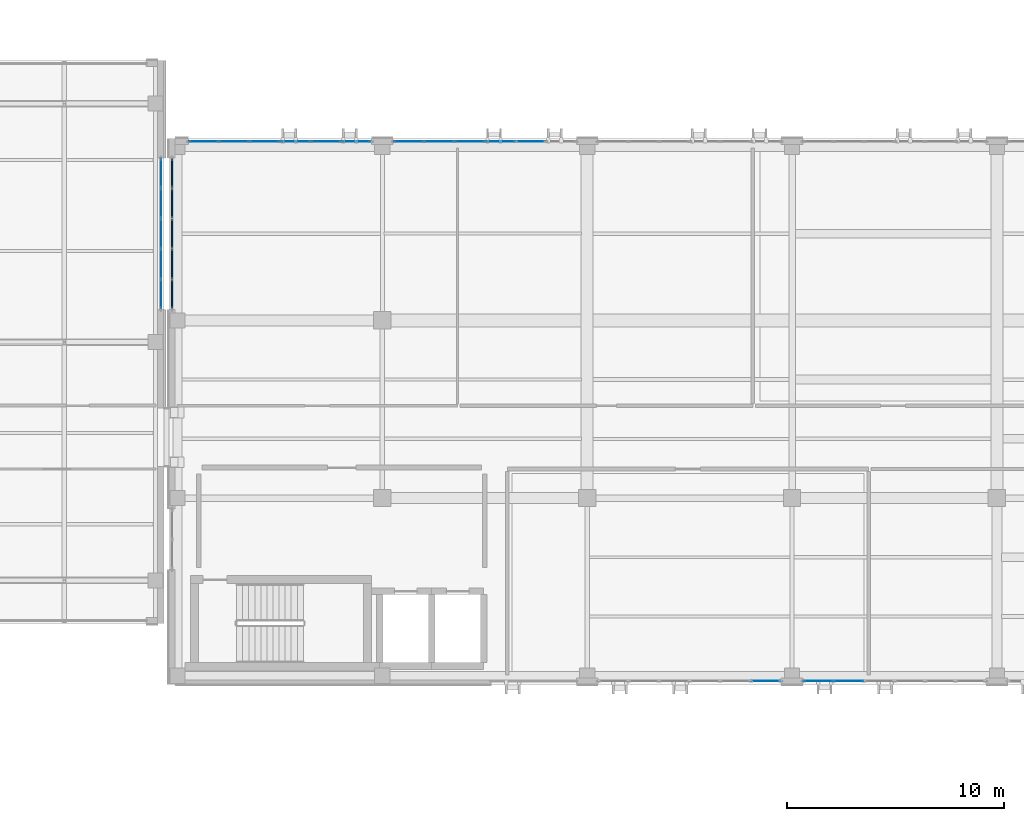
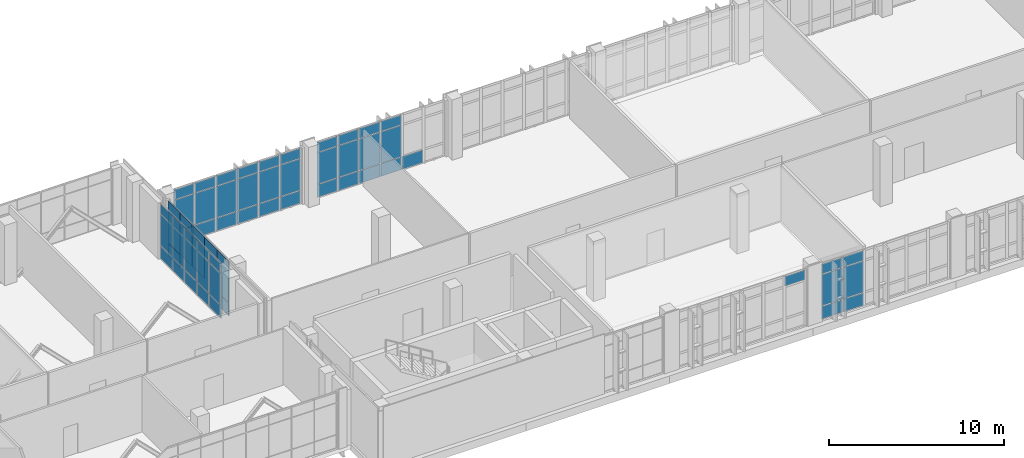
# One storey, part 114 of 165: 68 plates, 6 elements without a shape of their own.
"""IFC4 building model written with IfcOpenShell, lengths in metres."""

from ifc_helpers import new_model, si_unit, direction, frame, origin, origin_2d, place, context, subcontext, project, spatial, rectangle, extrude, material, layer, layer_set, type_object, element, aggregate, save


model = new_model("IFC4")

# Units and contexts
model_context = context("Model", 3, precision=1e-05, world=origin(), true_north=direction((0.0, 1.0)))
body_context = subcontext(model_context, "Body", "Model", "MODEL_VIEW")
ifc_project = project(units=[si_unit("LENGTHUNIT", "METRE"), si_unit("AREAUNIT", "SQUARE_METRE"), si_unit("VOLUMEUNIT", "CUBIC_METRE"), si_unit("PLANEANGLEUNIT", "RADIAN"), si_unit("MASSUNIT", "GRAM", prefix="KILO")], contexts=[model_context])

# Site, building, storey
site_placement = place(None, origin())
site = spatial("IfcSite", under=ifc_project, at=site_placement, CompositionType="ELEMENT")
building_placement = place(site_placement, origin())
building = spatial("IfcBuilding", under=site, at=building_placement, Name="Qalavern Law Courts", CompositionType="ELEMENT")
storey_placement = place(building_placement, frame((0.0, 0.0, 14.39990234375)))
storey = spatial("IfcBuildingStorey", under=building, at=storey_placement, Name="L03", CompositionType="ELEMENT", Elevation=14.39990234375)

# Curtain wall, plates
ifc_material_1 = material(Name="Anodised aluminium and insulated glazing", Category="aluminium")
ifc_layer_1 = layer(ifc_material_1, 0.199951171875)
ifc_layer_set_1 = layer_set([ifc_layer_1], Name="Anodised aluminium and insulated glazing")
curtain_wall_type_1 = type_object("IfcCurtainWallType", Name="ENV-CW-FOYER", PredefinedType="USERDEFINED", material=ifc_layer_set_1)
curtain_wall_1_placement = place(storey_placement, origin())
curtain_wall_1 = element("IfcCurtainWall", 1, at=curtain_wall_1_placement, inside=storey, type_object=curtain_wall_type_1, Name="V1 unitised curtain wall L03 east 1", ObjectType="UNITISED CURTAIN WALL", PredefinedType="USERDEFINED")
ifc_material_2 = material(Name="Insulated low-E acoustic glazing", Category="glass")
ifc_layer_2 = layer(ifc_material_2, 0.02392578125)
ifc_layer_set_2 = layer_set([ifc_layer_2], Name="Insulated low-E acoustic glazing")
plate_type_1 = type_object("IfcPlateType", Name="ENV-CWP-24", PredefinedType="CURTAIN_PANEL", material=ifc_layer_set_2)
plate_1_placement = place(storey_placement, frame((33.8525390625, 23.2119140625, 0.048095703125), z_axis=(0.0, 0.0, 1.0), x_axis=(0.0, 1.0, 0.0)))
plate_1 = element("IfcPlate", 2, at=plate_1_placement, type_object=plate_type_1, Name="CW-01 panel 1.1", PredefinedType="CURTAIN_PANEL", context=body_context, shape_type="SweptSolid", body=[
    extrude(rectangle(XDim=1.327880859375, YDim=0.02392578125, at=origin_2d()), origin(), (0.0, 0.0, 1.0), 0.8779296875),
])
plate_2_placement = place(storey_placement, frame((33.8525390625, 23.2119140625, 0.97412109375), z_axis=(0.0, 0.0, 1.0), x_axis=(0.0, 1.0, 0.0)))
plate_2 = element("IfcPlate", 3, at=plate_2_placement, type_object=plate_type_1, Name="CW-01 panel 1.2", PredefinedType="CURTAIN_PANEL", context=body_context, shape_type="SweptSolid", body=[
    extrude(rectangle(XDim=1.327880859375, YDim=0.02392578125, at=origin_2d()), origin(), (0.0, 0.0, 1.0), 2.172119140625),
])
plate_3_placement = place(storey_placement, frame((33.8525390625, 23.2119140625, 3.1943359375), z_axis=(0.0, 0.0, 1.0), x_axis=(0.0, 1.0, 0.0)))
plate_3 = element("IfcPlate", 4, at=plate_3_placement, type_object=plate_type_1, Name="CW-01 panel 1.3", PredefinedType="CURTAIN_PANEL", context=body_context, shape_type="SweptSolid", body=[
    extrude(rectangle(XDim=1.327880859375, YDim=0.02392578125, at=origin_2d()), origin(), (0.0, 0.0, 1.0), 0.677978515625),
])
plate_4_placement = place(storey_placement, frame((33.8525390625, 24.60009765625, 0.048095703125), z_axis=(0.0, 0.0, 1.0), x_axis=(0.0, 1.0, 0.0)))
plate_4 = element("IfcPlate", 5, at=plate_4_placement, type_object=plate_type_1, Name="CW-01 panel 2.1", PredefinedType="CURTAIN_PANEL", context=body_context, shape_type="SweptSolid", body=[
    extrude(rectangle(XDim=1.35205078125, YDim=0.02392578125, at=origin_2d()), origin(), (0.0, 0.0, 1.0), 0.8779296875),
])
plate_5_placement = place(storey_placement, frame((33.8525390625, 24.60009765625, 0.97412109375), z_axis=(0.0, 0.0, 1.0), x_axis=(0.0, 1.0, 0.0)))
plate_5 = element("IfcPlate", 6, at=plate_5_placement, type_object=plate_type_1, Name="CW-01 panel 2.2", PredefinedType="CURTAIN_PANEL", context=body_context, shape_type="SweptSolid", body=[
    extrude(rectangle(XDim=1.35205078125, YDim=0.02392578125, at=origin_2d()), origin(), (0.0, 0.0, 1.0), 2.172119140625),
])
plate_6_placement = place(storey_placement, frame((33.8525390625, 24.60009765625, 3.1943359375), z_axis=(0.0, 0.0, 1.0), x_axis=(0.0, 1.0, 0.0)))
plate_6 = element("IfcPlate", 7, at=plate_6_placement, type_object=plate_type_1, Name="CW-01 panel 2.3", PredefinedType="CURTAIN_PANEL", context=body_context, shape_type="SweptSolid", body=[
    extrude(rectangle(XDim=1.35205078125, YDim=0.02392578125, at=origin_2d()), origin(), (0.0, 0.0, 1.0), 0.677978515625),
])
plate_7_placement = place(storey_placement, frame((33.8525390625, 26.0, 0.048095703125), z_axis=(0.0, 0.0, 1.0), x_axis=(0.0, 1.0, 0.0)))
plate_7 = element("IfcPlate", 8, at=plate_7_placement, type_object=plate_type_1, Name="CW-01 panel 3.1", PredefinedType="CURTAIN_PANEL", context=body_context, shape_type="SweptSolid", body=[
    extrude(rectangle(XDim=1.35205078125, YDim=0.02392578125, at=origin_2d()), origin(), (0.0, 0.0, 1.0), 0.8779296875),
])
plate_8_placement = place(storey_placement, frame((33.8525390625, 26.0, 0.97412109375), z_axis=(0.0, 0.0, 1.0), x_axis=(0.0, 1.0, 0.0)))
plate_8 = element("IfcPlate", 9, at=plate_8_placement, type_object=plate_type_1, Name="CW-01 panel 3.2", PredefinedType="CURTAIN_PANEL", context=body_context, shape_type="SweptSolid", body=[
    extrude(rectangle(XDim=1.35205078125, YDim=0.02392578125, at=origin_2d()), origin(), (0.0, 0.0, 1.0), 2.172119140625),
])
plate_9_placement = place(storey_placement, frame((33.8525390625, 26.0, 3.1943359375), z_axis=(0.0, 0.0, 1.0), x_axis=(0.0, 1.0, 0.0)))
plate_9 = element("IfcPlate", 10, at=plate_9_placement, type_object=plate_type_1, Name="CW-01 panel 3.3", PredefinedType="CURTAIN_PANEL", context=body_context, shape_type="SweptSolid", body=[
    extrude(rectangle(XDim=1.35205078125, YDim=0.02392578125, at=origin_2d()), origin(), (0.0, 0.0, 1.0), 0.677978515625),
])
plate_10_placement = place(storey_placement, frame((33.8525390625, 27.39990234375, 0.048095703125), z_axis=(0.0, 0.0, 1.0), x_axis=(0.0, 1.0, 0.0)))
plate_10 = element("IfcPlate", 11, at=plate_10_placement, type_object=plate_type_1, Name="CW-01 panel 4.1", PredefinedType="CURTAIN_PANEL", context=body_context, shape_type="SweptSolid", body=[
    extrude(rectangle(XDim=1.35205078125, YDim=0.02392578125, at=origin_2d()), origin(), (0.0, 0.0, 1.0), 0.8779296875),
])
plate_11_placement = place(storey_placement, frame((33.8525390625, 27.39990234375, 0.97412109375), z_axis=(0.0, 0.0, 1.0), x_axis=(0.0, 1.0, 0.0)))
plate_11 = element("IfcPlate", 12, at=plate_11_placement, type_object=plate_type_1, Name="CW-01 panel 4.2", PredefinedType="CURTAIN_PANEL", context=body_context, shape_type="SweptSolid", body=[
    extrude(rectangle(XDim=1.35205078125, YDim=0.02392578125, at=origin_2d()), origin(), (0.0, 0.0, 1.0), 2.172119140625),
])
plate_12_placement = place(storey_placement, frame((33.8525390625, 27.39990234375, 3.1943359375), z_axis=(0.0, 0.0, 1.0), x_axis=(0.0, 1.0, 0.0)))
plate_12 = element("IfcPlate", 13, at=plate_12_placement, type_object=plate_type_1, Name="CW-01 panel 4.3", PredefinedType="CURTAIN_PANEL", context=body_context, shape_type="SweptSolid", body=[
    extrude(rectangle(XDim=1.35205078125, YDim=0.02392578125, at=origin_2d()), origin(), (0.0, 0.0, 1.0), 0.677978515625),
])
plate_13_placement = place(storey_placement, frame((33.8525390625, 28.7880859375, 0.048095703125), z_axis=(0.0, 0.0, 1.0), x_axis=(0.0, 1.0, 0.0)))
plate_13 = element("IfcPlate", 14, at=plate_13_placement, type_object=plate_type_1, Name="CW-01 panel 5.1", PredefinedType="CURTAIN_PANEL", context=body_context, shape_type="SweptSolid", body=[
    extrude(rectangle(XDim=1.327880859375, YDim=0.02392578125, at=origin_2d()), origin(), (0.0, 0.0, 1.0), 0.8779296875),
])
plate_14_placement = place(storey_placement, frame((33.8525390625, 28.7880859375, 0.97412109375), z_axis=(0.0, 0.0, 1.0), x_axis=(0.0, 1.0, 0.0)))
plate_14 = element("IfcPlate", 15, at=plate_14_placement, type_object=plate_type_1, Name="CW-01 panel 5.2", PredefinedType="CURTAIN_PANEL", context=body_context, shape_type="SweptSolid", body=[
    extrude(rectangle(XDim=1.327880859375, YDim=0.02392578125, at=origin_2d()), origin(), (0.0, 0.0, 1.0), 2.172119140625),
])
plate_15_placement = place(storey_placement, frame((33.8525390625, 28.7880859375, 3.1943359375), z_axis=(0.0, 0.0, 1.0), x_axis=(0.0, 1.0, 0.0)))
plate_15 = element("IfcPlate", 16, at=plate_15_placement, type_object=plate_type_1, Name="CW-01 panel 5.3", PredefinedType="CURTAIN_PANEL", context=body_context, shape_type="SweptSolid", body=[
    extrude(rectangle(XDim=1.327880859375, YDim=0.02392578125, at=origin_2d()), origin(), (0.0, 0.0, 1.0), 0.677978515625),
])
aggregate(curtain_wall_1, [plate_1, plate_2, plate_3, plate_4, plate_5, plate_6, plate_7, plate_8, plate_9, plate_10, plate_11, plate_12, plate_13, plate_14, plate_15])

# Curtain wall, plate
ifc_layer_3 = layer(ifc_material_1, 0.18505859375)
ifc_layer_set_3 = layer_set([ifc_layer_3], Name="Anodised aluminium and insulated glazing")
curtain_wall_type_2 = type_object("IfcCurtainWallType", Name="ENV-CW-HALL", PredefinedType="USERDEFINED", material=ifc_layer_set_3)
curtain_wall_2_placement = place(storey_placement, origin())
curtain_wall_2 = element("IfcCurtainWall", 17, at=curtain_wall_2_placement, inside=storey, type_object=curtain_wall_type_2, Name="V2 unitised curtain wall L03 south 2", ObjectType="UNITISED CURTAIN WALL", PredefinedType="USERDEFINED")
plate_16_placement = place(storey_placement, frame((61.766357421875, 5.347412109375, 3.1943359375), z_axis=(0.0, 0.0, 1.0), x_axis=(1.0, 0.0, 0.0)))
plate_16 = element("IfcPlate", 18, at=plate_16_placement, type_object=plate_type_1, Name="CW-02 panel 6.3", PredefinedType="CURTAIN_PANEL", context=body_context, shape_type="SweptSolid", body=[
    extrude(rectangle(XDim=1.337158203125, YDim=0.02392578125, at=origin_2d()), origin(), (0.0, 0.0, 1.0), 0.677978515625),
])
aggregate(curtain_wall_2, [plate_16])

# Curtain wall, plates
curtain_wall_3_placement = place(storey_placement, origin())
curtain_wall_3 = element("IfcCurtainWall", 19, at=curtain_wall_3_placement, inside=storey, type_object=curtain_wall_type_2, Name="V2 unitised curtain wall L03 south 3", ObjectType="UNITISED CURTAIN WALL", PredefinedType="USERDEFINED")
ifc_layer_4 = layer(ifc_material_2, 0.028076171875)
ifc_layer_set_4 = layer_set([ifc_layer_4], Name="Insulated low-E acoustic glazing")
plate_type_2 = type_object("IfcPlateType", Name="ENV-CWP-28", PredefinedType="CURTAIN_PANEL", material=ifc_layer_set_4)
plate_17_placement = place(storey_placement, frame((64.199462890625, 5.347412109375, 0.048095703125), z_axis=(0.0, 0.0, 1.0), x_axis=(1.0, 0.0, 0.0)))
plate_17 = element("IfcPlate", 20, at=plate_17_placement, type_object=plate_type_2, Name="CW-02 panel 1.1", PredefinedType="CURTAIN_PANEL", context=body_context, shape_type="SweptSolid", body=[
    extrude(rectangle(XDim=1.3369140625, YDim=0.028076171875, at=origin_2d()), origin(), (0.0, 0.0, 1.0), 0.8779296875),
])
plate_18_placement = place(storey_placement, frame((64.199462890625, 5.347412109375, 0.97412109375), z_axis=(0.0, 0.0, 1.0), x_axis=(1.0, 0.0, 0.0)))
plate_18 = element("IfcPlate", 21, at=plate_18_placement, type_object=plate_type_2, Name="CW-02 panel 1.2", PredefinedType="CURTAIN_PANEL", context=body_context, shape_type="SweptSolid", body=[
    extrude(rectangle(XDim=1.3369140625, YDim=0.028076171875, at=origin_2d()), origin(), (0.0, 0.0, 1.0), 2.172119140625),
])
plate_19_placement = place(storey_placement, frame((64.199462890625, 5.347412109375, 3.1943359375), z_axis=(0.0, 0.0, 1.0), x_axis=(1.0, 0.0, 0.0)))
plate_19 = element("IfcPlate", 22, at=plate_19_placement, type_object=plate_type_2, Name="CW-02 panel 1.3", PredefinedType="CURTAIN_PANEL", context=body_context, shape_type="SweptSolid", body=[
    extrude(rectangle(XDim=1.3369140625, YDim=0.028076171875, at=origin_2d()), origin(), (0.0, 0.0, 1.0), 0.677978515625),
])
plate_20_placement = place(storey_placement, frame((65.596435546875, 5.347412109375, 0.048095703125), z_axis=(0.0, 0.0, 1.0), x_axis=(1.0, 0.0, 0.0)))
plate_20 = element("IfcPlate", 23, at=plate_20_placement, type_object=plate_type_2, Name="CW-02 panel 2.1", PredefinedType="CURTAIN_PANEL", context=body_context, shape_type="SweptSolid", body=[
    extrude(rectangle(XDim=1.361083984375, YDim=0.028076171875, at=origin_2d()), origin(), (0.0, 0.0, 1.0), 0.8779296875),
])
plate_21_placement = place(storey_placement, frame((65.596435546875, 5.347412109375, 0.97412109375), z_axis=(0.0, 0.0, 1.0), x_axis=(1.0, 0.0, 0.0)))
plate_21 = element("IfcPlate", 24, at=plate_21_placement, type_object=plate_type_2, Name="CW-02 panel 2.2", PredefinedType="CURTAIN_PANEL", context=body_context, shape_type="SweptSolid", body=[
    extrude(rectangle(XDim=1.361083984375, YDim=0.028076171875, at=origin_2d()), origin(), (0.0, 0.0, 1.0), 2.172119140625),
])
plate_22_placement = place(storey_placement, frame((65.596435546875, 5.347412109375, 3.1943359375), z_axis=(0.0, 0.0, 1.0), x_axis=(1.0, 0.0, 0.0)))
plate_22 = element("IfcPlate", 25, at=plate_22_placement, type_object=plate_type_2, Name="CW-02 panel 2.3", PredefinedType="CURTAIN_PANEL", context=body_context, shape_type="SweptSolid", body=[
    extrude(rectangle(XDim=1.361083984375, YDim=0.028076171875, at=origin_2d()), origin(), (0.0, 0.0, 1.0), 0.677978515625),
])
aggregate(curtain_wall_3, [plate_17, plate_18, plate_19, plate_20, plate_21, plate_22])

curtain_wall_4_placement = place(storey_placement, origin())
curtain_wall_4 = element("IfcCurtainWall", 26, at=curtain_wall_4_placement, inside=storey, type_object=curtain_wall_type_2, Name="V2 unitised curtain wall L03 north 5", ObjectType="UNITISED CURTAIN WALL", PredefinedType="USERDEFINED")
ifc_layer_5 = layer(ifc_material_2, 0.0400390625)
ifc_layer_set_5 = layer_set([ifc_layer_5], Name="Insulated low-E acoustic glazing")
plate_type_3 = type_object("IfcPlateType", Name="ENV-CWP-40", PredefinedType="CURTAIN_PANEL", material=ifc_layer_set_5)
plate_23_placement = place(storey_placement, frame((50.9150390625, 30.25244140625, 0.048095703125), z_axis=(0.0, 0.0, 1.0), x_axis=(-1.0, 0.0, 0.0)))
plate_23 = element("IfcPlate", 27, at=plate_23_placement, type_object=plate_type_3, Name="CW-02 panel 2.1", PredefinedType="CURTAIN_PANEL", context=body_context, shape_type="SweptSolid", body=[
    extrude(rectangle(XDim=1.361083984375, YDim=0.0400390625, at=origin_2d()), origin(), (0.0, 0.0, 1.0), 0.8779296875),
])
plate_24_placement = place(storey_placement, frame((49.505859375, 30.25244140625, 0.048095703125), z_axis=(0.0, 0.0, 1.0), x_axis=(-1.0, 0.0, 0.0)))
plate_24 = element("IfcPlate", 28, at=plate_24_placement, type_object=plate_type_3, Name="CW-02 panel 3.1", PredefinedType="CURTAIN_PANEL", context=body_context, shape_type="SweptSolid", body=[
    extrude(rectangle(XDim=1.361083984375, YDim=0.0400390625, at=origin_2d()), origin(), (0.0, 0.0, 1.0), 0.8779296875),
])
plate_25_placement = place(storey_placement, frame((49.505859375, 30.25244140625, 0.97412109375), z_axis=(0.0, 0.0, 1.0), x_axis=(-1.0, 0.0, 0.0)))
plate_25 = element("IfcPlate", 29, at=plate_25_placement, type_object=plate_type_3, Name="CW-02 panel 3.2", PredefinedType="CURTAIN_PANEL", context=body_context, shape_type="SweptSolid", body=[
    extrude(rectangle(XDim=1.361083984375, YDim=0.0400390625, at=origin_2d()), origin(), (0.0, 0.0, 1.0), 2.172119140625),
])
plate_26_placement = place(storey_placement, frame((49.505859375, 30.25244140625, 3.1943359375), z_axis=(0.0, 0.0, 1.0), x_axis=(-1.0, 0.0, 0.0)))
plate_26 = element("IfcPlate", 30, at=plate_26_placement, type_object=plate_type_3, Name="CW-02 panel 3.3", PredefinedType="CURTAIN_PANEL", context=body_context, shape_type="SweptSolid", body=[
    extrude(rectangle(XDim=1.361083984375, YDim=0.0400390625, at=origin_2d()), origin(), (0.0, 0.0, 1.0), 0.677978515625),
])
plate_27_placement = place(storey_placement, frame((48.096923828125, 30.25244140625, 0.048095703125), z_axis=(0.0, 0.0, 1.0), x_axis=(-1.0, 0.0, 0.0)))
plate_27 = element("IfcPlate", 31, at=plate_27_placement, type_object=plate_type_3, Name="CW-02 panel 4.1", PredefinedType="CURTAIN_PANEL", context=body_context, shape_type="SweptSolid", body=[
    extrude(rectangle(XDim=1.361083984375, YDim=0.0400390625, at=origin_2d()), origin(), (0.0, 0.0, 1.0), 0.8779296875),
])
plate_28_placement = place(storey_placement, frame((48.096923828125, 30.25244140625, 0.97412109375), z_axis=(0.0, 0.0, 1.0), x_axis=(-1.0, 0.0, 0.0)))
plate_28 = element("IfcPlate", 32, at=plate_28_placement, type_object=plate_type_3, Name="CW-02 panel 4.2", PredefinedType="CURTAIN_PANEL", context=body_context, shape_type="SweptSolid", body=[
    extrude(rectangle(XDim=1.361083984375, YDim=0.0400390625, at=origin_2d()), origin(), (0.0, 0.0, 1.0), 2.172119140625),
])
plate_29_placement = place(storey_placement, frame((48.096923828125, 30.25244140625, 3.1943359375), z_axis=(0.0, 0.0, 1.0), x_axis=(-1.0, 0.0, 0.0)))
plate_29 = element("IfcPlate", 33, at=plate_29_placement, type_object=plate_type_3, Name="CW-02 panel 4.3", PredefinedType="CURTAIN_PANEL", context=body_context, shape_type="SweptSolid", body=[
    extrude(rectangle(XDim=1.361083984375, YDim=0.0400390625, at=origin_2d()), origin(), (0.0, 0.0, 1.0), 0.677978515625),
])
plate_30_placement = place(storey_placement, frame((46.68798828125, 30.25244140625, 0.048095703125), z_axis=(0.0, 0.0, 1.0), x_axis=(-1.0, 0.0, 0.0)))
plate_30 = element("IfcPlate", 34, at=plate_30_placement, type_object=plate_type_3, Name="CW-02 panel 5.1", PredefinedType="CURTAIN_PANEL", context=body_context, shape_type="SweptSolid", body=[
    extrude(rectangle(XDim=1.361083984375, YDim=0.0400390625, at=origin_2d()), origin(), (0.0, 0.0, 1.0), 0.8779296875),
])
plate_31_placement = place(storey_placement, frame((46.68798828125, 30.25244140625, 0.97412109375), z_axis=(0.0, 0.0, 1.0), x_axis=(-1.0, 0.0, 0.0)))
plate_31 = element("IfcPlate", 35, at=plate_31_placement, type_object=plate_type_3, Name="CW-02 panel 5.2", PredefinedType="CURTAIN_PANEL", context=body_context, shape_type="SweptSolid", body=[
    extrude(rectangle(XDim=1.361083984375, YDim=0.0400390625, at=origin_2d()), origin(), (0.0, 0.0, 1.0), 2.172119140625),
])
plate_32_placement = place(storey_placement, frame((46.68798828125, 30.25244140625, 3.1943359375), z_axis=(0.0, 0.0, 1.0), x_axis=(-1.0, 0.0, 0.0)))
plate_32 = element("IfcPlate", 36, at=plate_32_placement, type_object=plate_type_3, Name="CW-02 panel 5.3", PredefinedType="CURTAIN_PANEL", context=body_context, shape_type="SweptSolid", body=[
    extrude(rectangle(XDim=1.361083984375, YDim=0.0400390625, at=origin_2d()), origin(), (0.0, 0.0, 1.0), 0.677978515625),
])
plate_33_placement = place(storey_placement, frame((45.290771484375, 30.25244140625, 0.048095703125), z_axis=(0.0, 0.0, 1.0), x_axis=(-1.0, 0.0, 0.0)))
plate_33 = element("IfcPlate", 37, at=plate_33_placement, type_object=plate_type_3, Name="CW-02 panel 6.1", PredefinedType="CURTAIN_PANEL", context=body_context, shape_type="SweptSolid", body=[
    extrude(rectangle(XDim=1.337158203125, YDim=0.0400390625, at=origin_2d()), origin(), (0.0, 0.0, 1.0), 0.8779296875),
])
plate_34_placement = place(storey_placement, frame((45.290771484375, 30.25244140625, 0.97412109375), z_axis=(0.0, 0.0, 1.0), x_axis=(-1.0, 0.0, 0.0)))
plate_34 = element("IfcPlate", 38, at=plate_34_placement, type_object=plate_type_3, Name="CW-02 panel 6.2", PredefinedType="CURTAIN_PANEL", context=body_context, shape_type="SweptSolid", body=[
    extrude(rectangle(XDim=1.337158203125, YDim=0.0400390625, at=origin_2d()), origin(), (0.0, 0.0, 1.0), 2.172119140625),
])
plate_35_placement = place(storey_placement, frame((45.290771484375, 30.25244140625, 3.1943359375), z_axis=(0.0, 0.0, 1.0), x_axis=(-1.0, 0.0, 0.0)))
plate_35 = element("IfcPlate", 39, at=plate_35_placement, type_object=plate_type_3, Name="CW-02 panel 6.3", PredefinedType="CURTAIN_PANEL", context=body_context, shape_type="SweptSolid", body=[
    extrude(rectangle(XDim=1.337158203125, YDim=0.0400390625, at=origin_2d()), origin(), (0.0, 0.0, 1.0), 0.677978515625),
])
aggregate(curtain_wall_4, [plate_23, plate_24, plate_25, plate_26, plate_27, plate_28, plate_29, plate_30, plate_31, plate_32, plate_33, plate_34, plate_35])

curtain_wall_5_placement = place(storey_placement, origin())
curtain_wall_5 = element("IfcCurtainWall", 40, at=curtain_wall_5_placement, inside=storey, type_object=curtain_wall_type_2, Name="V2 unitised curtain wall L03 north 6", ObjectType="UNITISED CURTAIN WALL", PredefinedType="USERDEFINED")
ifc_layer_6 = layer(ifc_material_2, 0.0439453125)
ifc_layer_set_6 = layer_set([ifc_layer_6], Name="Insulated low-E acoustic glazing")
plate_type_4 = type_object("IfcPlateType", Name="ENV-CWP-44", PredefinedType="CURTAIN_PANEL", material=ifc_layer_set_6)
plate_36_placement = place(storey_placement, frame((42.857666015625, 30.25244140625, 0.048095703125), z_axis=(0.0, 0.0, 1.0), x_axis=(-1.0, 0.0, 0.0)))
plate_36 = element("IfcPlate", 41, at=plate_36_placement, type_object=plate_type_4, Name="CW-02 panel 1.1", PredefinedType="CURTAIN_PANEL", context=body_context, shape_type="SweptSolid", body=[
    extrude(rectangle(XDim=1.337158203125, YDim=0.0439453125, at=origin_2d()), origin(), (0.0, 0.0, 1.0), 0.8779296875),
])
plate_37_placement = place(storey_placement, frame((42.857666015625, 30.25244140625, 0.97412109375), z_axis=(0.0, 0.0, 1.0), x_axis=(-1.0, 0.0, 0.0)))
plate_37 = element("IfcPlate", 42, at=plate_37_placement, type_object=plate_type_4, Name="CW-02 panel 1.2", PredefinedType="CURTAIN_PANEL", context=body_context, shape_type="SweptSolid", body=[
    extrude(rectangle(XDim=1.337158203125, YDim=0.0439453125, at=origin_2d()), origin(), (0.0, 0.0, 1.0), 2.172119140625),
])
plate_38_placement = place(storey_placement, frame((42.857666015625, 30.25244140625, 3.1943359375), z_axis=(0.0, 0.0, 1.0), x_axis=(-1.0, 0.0, 0.0)))
plate_38 = element("IfcPlate", 43, at=plate_38_placement, type_object=plate_type_4, Name="CW-02 panel 1.3", PredefinedType="CURTAIN_PANEL", context=body_context, shape_type="SweptSolid", body=[
    extrude(rectangle(XDim=1.337158203125, YDim=0.0439453125, at=origin_2d()), origin(), (0.0, 0.0, 1.0), 0.677978515625),
])
plate_39_placement = place(storey_placement, frame((41.460693359375, 30.25244140625, 0.048095703125), z_axis=(0.0, 0.0, 1.0), x_axis=(-1.0, 0.0, 0.0)))
plate_39 = element("IfcPlate", 44, at=plate_39_placement, type_object=plate_type_4, Name="CW-02 panel 2.1", PredefinedType="CURTAIN_PANEL", context=body_context, shape_type="SweptSolid", body=[
    extrude(rectangle(XDim=1.361083984375, YDim=0.0439453125, at=origin_2d()), origin(), (0.0, 0.0, 1.0), 0.8779296875),
])
plate_40_placement = place(storey_placement, frame((41.460693359375, 30.25244140625, 0.97412109375), z_axis=(0.0, 0.0, 1.0), x_axis=(-1.0, 0.0, 0.0)))
plate_40 = element("IfcPlate", 45, at=plate_40_placement, type_object=plate_type_4, Name="CW-02 panel 2.2", PredefinedType="CURTAIN_PANEL", context=body_context, shape_type="SweptSolid", body=[
    extrude(rectangle(XDim=1.361083984375, YDim=0.0439453125, at=origin_2d()), origin(), (0.0, 0.0, 1.0), 2.172119140625),
])
plate_41_placement = place(storey_placement, frame((41.460693359375, 30.25244140625, 3.1943359375), z_axis=(0.0, 0.0, 1.0), x_axis=(-1.0, 0.0, 0.0)))
plate_41 = element("IfcPlate", 46, at=plate_41_placement, type_object=plate_type_4, Name="CW-02 panel 2.3", PredefinedType="CURTAIN_PANEL", context=body_context, shape_type="SweptSolid", body=[
    extrude(rectangle(XDim=1.361083984375, YDim=0.0439453125, at=origin_2d()), origin(), (0.0, 0.0, 1.0), 0.677978515625),
])
plate_42_placement = place(storey_placement, frame((40.0517578125, 30.25244140625, 0.048095703125), z_axis=(0.0, 0.0, 1.0), x_axis=(-1.0, 0.0, 0.0)))
plate_42 = element("IfcPlate", 47, at=plate_42_placement, type_object=plate_type_4, Name="CW-02 panel 3.1", PredefinedType="CURTAIN_PANEL", context=body_context, shape_type="SweptSolid", body=[
    extrude(rectangle(XDim=1.361083984375, YDim=0.0439453125, at=origin_2d()), origin(), (0.0, 0.0, 1.0), 0.8779296875),
])
plate_43_placement = place(storey_placement, frame((40.0517578125, 30.25244140625, 0.97412109375), z_axis=(0.0, 0.0, 1.0), x_axis=(-1.0, 0.0, 0.0)))
plate_43 = element("IfcPlate", 48, at=plate_43_placement, type_object=plate_type_4, Name="CW-02 panel 3.2", PredefinedType="CURTAIN_PANEL", context=body_context, shape_type="SweptSolid", body=[
    extrude(rectangle(XDim=1.361083984375, YDim=0.0439453125, at=origin_2d()), origin(), (0.0, 0.0, 1.0), 2.172119140625),
])
plate_44_placement = place(storey_placement, frame((40.0517578125, 30.25244140625, 3.1943359375), z_axis=(0.0, 0.0, 1.0), x_axis=(-1.0, 0.0, 0.0)))
plate_44 = element("IfcPlate", 49, at=plate_44_placement, type_object=plate_type_4, Name="CW-02 panel 3.3", PredefinedType="CURTAIN_PANEL", context=body_context, shape_type="SweptSolid", body=[
    extrude(rectangle(XDim=1.361083984375, YDim=0.0439453125, at=origin_2d()), origin(), (0.0, 0.0, 1.0), 0.677978515625),
])
plate_45_placement = place(storey_placement, frame((38.642578125, 30.25244140625, 0.048095703125), z_axis=(0.0, 0.0, 1.0), x_axis=(-1.0, 0.0, 0.0)))
plate_45 = element("IfcPlate", 50, at=plate_45_placement, type_object=plate_type_4, Name="CW-02 panel 4.1", PredefinedType="CURTAIN_PANEL", context=body_context, shape_type="SweptSolid", body=[
    extrude(rectangle(XDim=1.361083984375, YDim=0.0439453125, at=origin_2d()), origin(), (0.0, 0.0, 1.0), 0.8779296875),
])
plate_46_placement = place(storey_placement, frame((38.642578125, 30.25244140625, 0.97412109375), z_axis=(0.0, 0.0, 1.0), x_axis=(-1.0, 0.0, 0.0)))
plate_46 = element("IfcPlate", 51, at=plate_46_placement, type_object=plate_type_4, Name="CW-02 panel 4.2", PredefinedType="CURTAIN_PANEL", context=body_context, shape_type="SweptSolid", body=[
    extrude(rectangle(XDim=1.361083984375, YDim=0.0439453125, at=origin_2d()), origin(), (0.0, 0.0, 1.0), 2.172119140625),
])
plate_47_placement = place(storey_placement, frame((38.642578125, 30.25244140625, 3.1943359375), z_axis=(0.0, 0.0, 1.0), x_axis=(-1.0, 0.0, 0.0)))
plate_47 = element("IfcPlate", 52, at=plate_47_placement, type_object=plate_type_4, Name="CW-02 panel 4.3", PredefinedType="CURTAIN_PANEL", context=body_context, shape_type="SweptSolid", body=[
    extrude(rectangle(XDim=1.361083984375, YDim=0.0439453125, at=origin_2d()), origin(), (0.0, 0.0, 1.0), 0.677978515625),
])
plate_48_placement = place(storey_placement, frame((37.233642578125, 30.25244140625, 0.048095703125), z_axis=(0.0, 0.0, 1.0), x_axis=(-1.0, 0.0, 0.0)))
plate_48 = element("IfcPlate", 53, at=plate_48_placement, type_object=plate_type_4, Name="CW-02 panel 5.1", PredefinedType="CURTAIN_PANEL", context=body_context, shape_type="SweptSolid", body=[
    extrude(rectangle(XDim=1.361083984375, YDim=0.0439453125, at=origin_2d()), origin(), (0.0, 0.0, 1.0), 0.8779296875),
])
plate_49_placement = place(storey_placement, frame((37.233642578125, 30.25244140625, 0.97412109375), z_axis=(0.0, 0.0, 1.0), x_axis=(-1.0, 0.0, 0.0)))
plate_49 = element("IfcPlate", 54, at=plate_49_placement, type_object=plate_type_4, Name="CW-02 panel 5.2", PredefinedType="CURTAIN_PANEL", context=body_context, shape_type="SweptSolid", body=[
    extrude(rectangle(XDim=1.361083984375, YDim=0.0439453125, at=origin_2d()), origin(), (0.0, 0.0, 1.0), 2.172119140625),
])
plate_50_placement = place(storey_placement, frame((37.233642578125, 30.25244140625, 3.1943359375), z_axis=(0.0, 0.0, 1.0), x_axis=(-1.0, 0.0, 0.0)))
plate_50 = element("IfcPlate", 55, at=plate_50_placement, type_object=plate_type_4, Name="CW-02 panel 5.3", PredefinedType="CURTAIN_PANEL", context=body_context, shape_type="SweptSolid", body=[
    extrude(rectangle(XDim=1.361083984375, YDim=0.0439453125, at=origin_2d()), origin(), (0.0, 0.0, 1.0), 0.677978515625),
])
plate_51_placement = place(storey_placement, frame((35.83642578125, 30.25244140625, 0.048095703125), z_axis=(0.0, 0.0, 1.0), x_axis=(-1.0, 0.0, 0.0)))
plate_51 = element("IfcPlate", 56, at=plate_51_placement, type_object=plate_type_4, Name="CW-02 panel 6.1", PredefinedType="CURTAIN_PANEL", context=body_context, shape_type="SweptSolid", body=[
    extrude(rectangle(XDim=1.337158203125, YDim=0.0439453125, at=origin_2d()), origin(), (0.0, 0.0, 1.0), 0.8779296875),
])
plate_52_placement = place(storey_placement, frame((35.83642578125, 30.25244140625, 0.97412109375), z_axis=(0.0, 0.0, 1.0), x_axis=(-1.0, 0.0, 0.0)))
plate_52 = element("IfcPlate", 57, at=plate_52_placement, type_object=plate_type_4, Name="CW-02 panel 6.2", PredefinedType="CURTAIN_PANEL", context=body_context, shape_type="SweptSolid", body=[
    extrude(rectangle(XDim=1.337158203125, YDim=0.0439453125, at=origin_2d()), origin(), (0.0, 0.0, 1.0), 2.172119140625),
])
plate_53_placement = place(storey_placement, frame((35.83642578125, 30.25244140625, 3.1943359375), z_axis=(0.0, 0.0, 1.0), x_axis=(-1.0, 0.0, 0.0)))
plate_53 = element("IfcPlate", 58, at=plate_53_placement, type_object=plate_type_4, Name="CW-02 panel 6.3", PredefinedType="CURTAIN_PANEL", context=body_context, shape_type="SweptSolid", body=[
    extrude(rectangle(XDim=1.337158203125, YDim=0.0439453125, at=origin_2d()), origin(), (0.0, 0.0, 1.0), 0.677978515625),
])
aggregate(curtain_wall_5, [plate_36, plate_37, plate_38, plate_39, plate_40, plate_41, plate_42, plate_43, plate_44, plate_45, plate_46, plate_47, plate_48, plate_49, plate_50, plate_51, plate_52, plate_53])

curtain_wall_6_placement = place(storey_placement, origin())
curtain_wall_6 = element("IfcCurtainWall", 59, at=curtain_wall_6_placement, inside=storey, type_object=curtain_wall_type_2, Name="V2 unitised curtain wall L03 west 1", ObjectType="UNITISED CURTAIN WALL", PredefinedType="USERDEFINED")
ifc_layer_7 = layer(ifc_material_2, 0.052001953125)
ifc_layer_set_7 = layer_set([ifc_layer_7], Name="Insulated low-E acoustic glazing")
plate_type_5 = type_object("IfcPlateType", Name="ENV-CWP-52", PredefinedType="CURTAIN_PANEL", material=ifc_layer_set_7)
plate_54_placement = place(storey_placement, frame((34.367431640625, 28.7880859375, 0.048095703125), z_axis=(0.0, 0.0, 1.0), x_axis=(0.0, -1.0, 0.0)))
plate_54 = element("IfcPlate", 60, at=plate_54_placement, type_object=plate_type_5, Name="CW-02 panel 1.1", PredefinedType="CURTAIN_PANEL", context=body_context, shape_type="SweptSolid", body=[
    extrude(rectangle(XDim=1.327880859375, YDim=0.052001953125, at=origin_2d()), origin(), (0.0, 0.0, 1.0), 0.8779296875),
])
plate_55_placement = place(storey_placement, frame((34.367431640625, 28.7880859375, 0.97412109375), z_axis=(0.0, 0.0, 1.0), x_axis=(0.0, -1.0, 0.0)))
plate_55 = element("IfcPlate", 61, at=plate_55_placement, type_object=plate_type_5, Name="CW-02 panel 1.2", PredefinedType="CURTAIN_PANEL", context=body_context, shape_type="SweptSolid", body=[
    extrude(rectangle(XDim=1.327880859375, YDim=0.052001953125, at=origin_2d()), origin(), (0.0, 0.0, 1.0), 2.172119140625),
])
plate_56_placement = place(storey_placement, frame((34.367431640625, 28.7880859375, 3.1943359375), z_axis=(0.0, 0.0, 1.0), x_axis=(0.0, -1.0, 0.0)))
plate_56 = element("IfcPlate", 62, at=plate_56_placement, type_object=plate_type_5, Name="CW-02 panel 1.3", PredefinedType="CURTAIN_PANEL", context=body_context, shape_type="SweptSolid", body=[
    extrude(rectangle(XDim=1.327880859375, YDim=0.052001953125, at=origin_2d()), origin(), (0.0, 0.0, 1.0), 0.677978515625),
])
plate_57_placement = place(storey_placement, frame((34.367431640625, 27.39990234375, 0.048095703125), z_axis=(0.0, 0.0, 1.0), x_axis=(0.0, -1.0, 0.0)))
plate_57 = element("IfcPlate", 63, at=plate_57_placement, type_object=plate_type_5, Name="CW-02 panel 2.1", PredefinedType="CURTAIN_PANEL", context=body_context, shape_type="SweptSolid", body=[
    extrude(rectangle(XDim=1.35205078125, YDim=0.052001953125, at=origin_2d()), origin(), (0.0, 0.0, 1.0), 0.8779296875),
])
plate_58_placement = place(storey_placement, frame((34.367431640625, 27.39990234375, 0.97412109375), z_axis=(0.0, 0.0, 1.0), x_axis=(0.0, -1.0, 0.0)))
plate_58 = element("IfcPlate", 64, at=plate_58_placement, type_object=plate_type_5, Name="CW-02 panel 2.2", PredefinedType="CURTAIN_PANEL", context=body_context, shape_type="SweptSolid", body=[
    extrude(rectangle(XDim=1.35205078125, YDim=0.052001953125, at=origin_2d()), origin(), (0.0, 0.0, 1.0), 2.172119140625),
])
plate_59_placement = place(storey_placement, frame((34.367431640625, 27.39990234375, 3.1943359375), z_axis=(0.0, 0.0, 1.0), x_axis=(0.0, -1.0, 0.0)))
plate_59 = element("IfcPlate", 65, at=plate_59_placement, type_object=plate_type_5, Name="CW-02 panel 2.3", PredefinedType="CURTAIN_PANEL", context=body_context, shape_type="SweptSolid", body=[
    extrude(rectangle(XDim=1.35205078125, YDim=0.052001953125, at=origin_2d()), origin(), (0.0, 0.0, 1.0), 0.677978515625),
])
plate_60_placement = place(storey_placement, frame((34.367431640625, 26.0, 0.048095703125), z_axis=(0.0, 0.0, 1.0), x_axis=(0.0, -1.0, 0.0)))
plate_60 = element("IfcPlate", 66, at=plate_60_placement, type_object=plate_type_5, Name="CW-02 panel 3.1", PredefinedType="CURTAIN_PANEL", context=body_context, shape_type="SweptSolid", body=[
    extrude(rectangle(XDim=1.35205078125, YDim=0.052001953125, at=origin_2d()), origin(), (0.0, 0.0, 1.0), 0.8779296875),
])
plate_61_placement = place(storey_placement, frame((34.367431640625, 26.0, 0.97412109375), z_axis=(0.0, 0.0, 1.0), x_axis=(0.0, -1.0, 0.0)))
plate_61 = element("IfcPlate", 67, at=plate_61_placement, type_object=plate_type_5, Name="CW-02 panel 3.2", PredefinedType="CURTAIN_PANEL", context=body_context, shape_type="SweptSolid", body=[
    extrude(rectangle(XDim=1.35205078125, YDim=0.052001953125, at=origin_2d()), origin(), (0.0, 0.0, 1.0), 2.172119140625),
])
plate_62_placement = place(storey_placement, frame((34.367431640625, 26.0, 3.1943359375), z_axis=(0.0, 0.0, 1.0), x_axis=(0.0, -1.0, 0.0)))
plate_62 = element("IfcPlate", 68, at=plate_62_placement, type_object=plate_type_5, Name="CW-02 panel 3.3", PredefinedType="CURTAIN_PANEL", context=body_context, shape_type="SweptSolid", body=[
    extrude(rectangle(XDim=1.35205078125, YDim=0.052001953125, at=origin_2d()), origin(), (0.0, 0.0, 1.0), 0.677978515625),
])
plate_63_placement = place(storey_placement, frame((34.367431640625, 24.60009765625, 0.048095703125), z_axis=(0.0, 0.0, 1.0), x_axis=(0.0, -1.0, 0.0)))
plate_63 = element("IfcPlate", 69, at=plate_63_placement, type_object=plate_type_5, Name="CW-02 panel 4.1", PredefinedType="CURTAIN_PANEL", context=body_context, shape_type="SweptSolid", body=[
    extrude(rectangle(XDim=1.35205078125, YDim=0.052001953125, at=origin_2d()), origin(), (0.0, 0.0, 1.0), 0.8779296875),
])
plate_64_placement = place(storey_placement, frame((34.367431640625, 24.60009765625, 0.97412109375), z_axis=(0.0, 0.0, 1.0), x_axis=(0.0, -1.0, 0.0)))
plate_64 = element("IfcPlate", 70, at=plate_64_placement, type_object=plate_type_5, Name="CW-02 panel 4.2", PredefinedType="CURTAIN_PANEL", context=body_context, shape_type="SweptSolid", body=[
    extrude(rectangle(XDim=1.35205078125, YDim=0.052001953125, at=origin_2d()), origin(), (0.0, 0.0, 1.0), 2.172119140625),
])
plate_65_placement = place(storey_placement, frame((34.367431640625, 24.60009765625, 3.1943359375), z_axis=(0.0, 0.0, 1.0), x_axis=(0.0, -1.0, 0.0)))
plate_65 = element("IfcPlate", 71, at=plate_65_placement, type_object=plate_type_5, Name="CW-02 panel 4.3", PredefinedType="CURTAIN_PANEL", context=body_context, shape_type="SweptSolid", body=[
    extrude(rectangle(XDim=1.35205078125, YDim=0.052001953125, at=origin_2d()), origin(), (0.0, 0.0, 1.0), 0.677978515625),
])
plate_66_placement = place(storey_placement, frame((34.367431640625, 23.2119140625, 0.048095703125), z_axis=(0.0, 0.0, 1.0), x_axis=(0.0, -1.0, 0.0)))
plate_66 = element("IfcPlate", 72, at=plate_66_placement, type_object=plate_type_5, Name="CW-02 panel 5.1", PredefinedType="CURTAIN_PANEL", context=body_context, shape_type="SweptSolid", body=[
    extrude(rectangle(XDim=1.327880859375, YDim=0.052001953125, at=origin_2d()), origin(), (0.0, 0.0, 1.0), 0.8779296875),
])
plate_67_placement = place(storey_placement, frame((34.367431640625, 23.2119140625, 0.97412109375), z_axis=(0.0, 0.0, 1.0), x_axis=(0.0, -1.0, 0.0)))
plate_67 = element("IfcPlate", 73, at=plate_67_placement, type_object=plate_type_5, Name="CW-02 panel 5.2", PredefinedType="CURTAIN_PANEL", context=body_context, shape_type="SweptSolid", body=[
    extrude(rectangle(XDim=1.327880859375, YDim=0.052001953125, at=origin_2d()), origin(), (0.0, 0.0, 1.0), 2.172119140625),
])
plate_68_placement = place(storey_placement, frame((34.367431640625, 23.2119140625, 3.1943359375), z_axis=(0.0, 0.0, 1.0), x_axis=(0.0, -1.0, 0.0)))
plate_68 = element("IfcPlate", 74, at=plate_68_placement, type_object=plate_type_5, Name="CW-02 panel 5.3", PredefinedType="CURTAIN_PANEL", context=body_context, shape_type="SweptSolid", body=[
    extrude(rectangle(XDim=1.327880859375, YDim=0.052001953125, at=origin_2d()), origin(), (0.0, 0.0, 1.0), 0.677978515625),
])
aggregate(curtain_wall_6, [plate_54, plate_55, plate_56, plate_57, plate_58, plate_59, plate_60, plate_61, plate_62, plate_63, plate_64, plate_65, plate_66, plate_67, plate_68])

save(model, "model.ifc")
